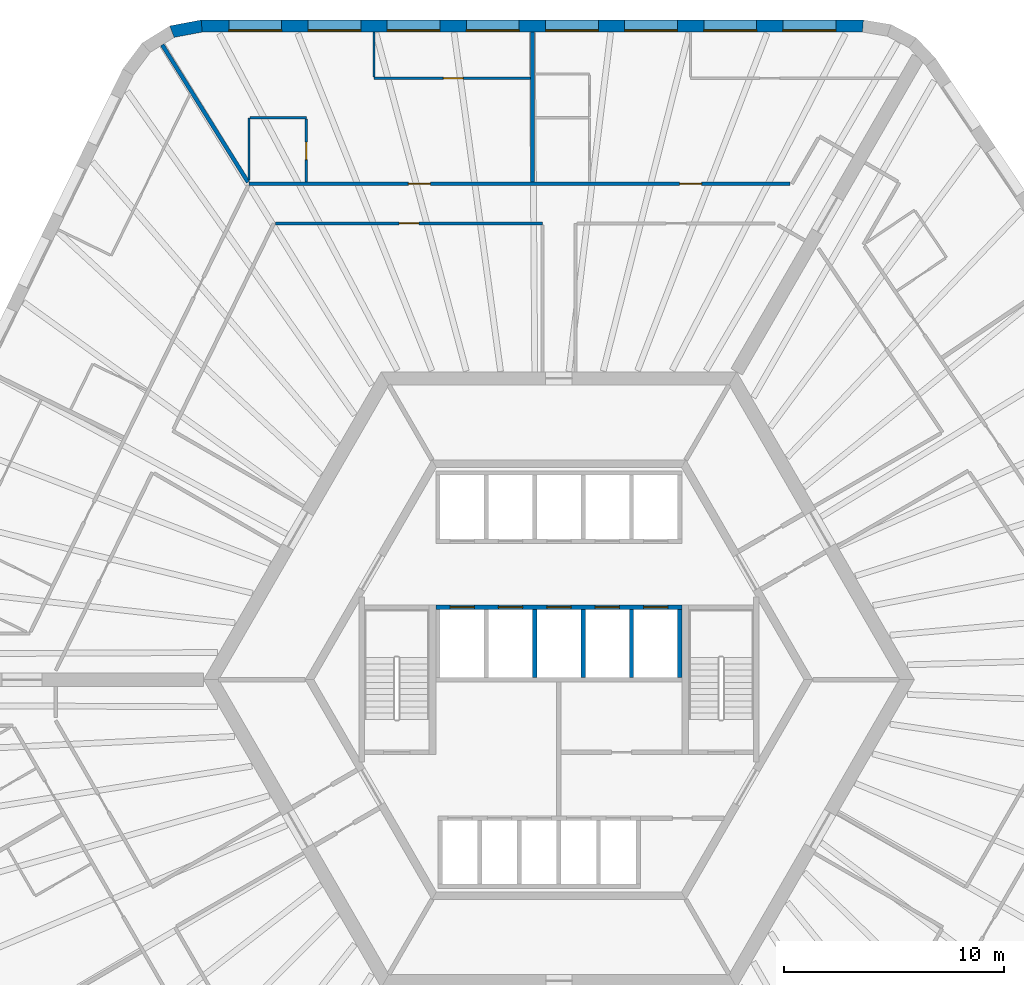
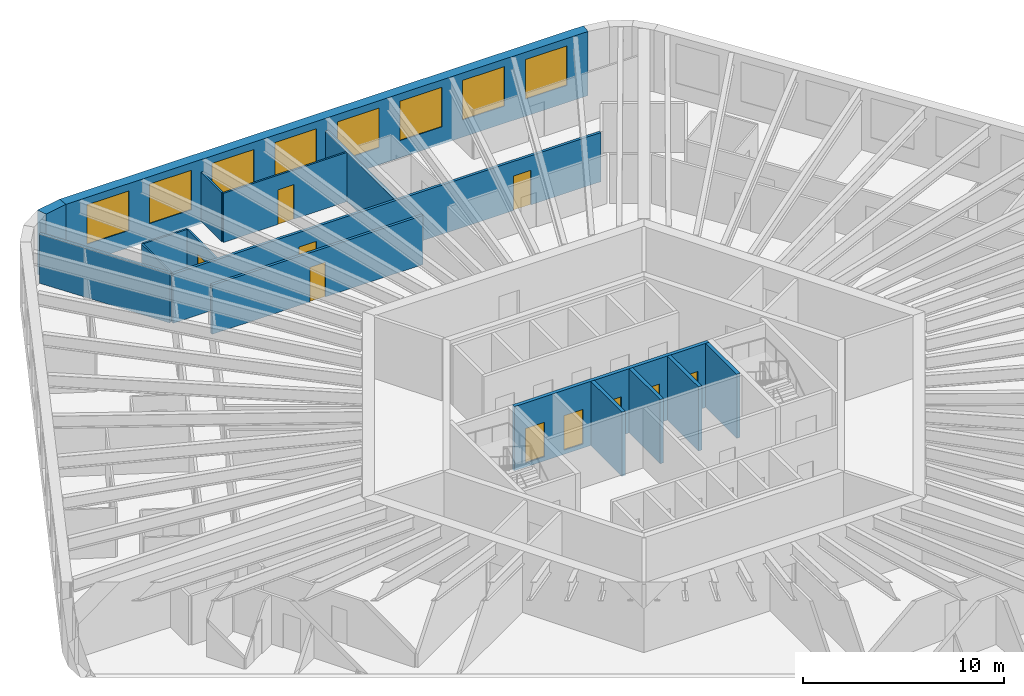
# One storey, part 8 of 12: 16 walls, 10 doors, 8 windows, 18 openings.
"""IFC4 building model written with IfcOpenShell, lengths in metres."""

from ifc_helpers import new_model, si_unit, direction, frame, frame_2d, origin, place, context, subcontext, project, spatial, polyline, rectangle, outline, extrude, material, layer, layer_set, type_object, element, fill, save


model = new_model("IFC4")

# Units and contexts
model_context = context("Model", 3, precision=1e-05, world=origin(), true_north=direction((0.0, 1.0)))
body_context = subcontext(model_context, "Body", "Model", "MODEL_VIEW")
ifc_project = project(units=[si_unit("LENGTHUNIT", "METRE"), si_unit("AREAUNIT", "SQUARE_METRE"), si_unit("VOLUMEUNIT", "CUBIC_METRE"), si_unit("PLANEANGLEUNIT", "RADIAN"), si_unit("MASSUNIT", "GRAM", prefix="KILO")], contexts=[model_context])

# Site, building, storey
site_placement = place(None, origin())
site = spatial("IfcSite", under=ifc_project, at=site_placement, CompositionType="ELEMENT")
building_placement = place(site_placement, origin())
building = spatial("IfcBuilding", under=site, at=building_placement, Name="Tarnside Tower", CompositionType="ELEMENT")
storey_placement = place(building_placement, frame((0.0, 0.0, 57.0)))
storey = spatial("IfcBuildingStorey", under=building, at=storey_placement, Name="L11", CompositionType="ELEMENT", Elevation=57.0)

# Walls
ifc_material_1 = material(Name="Gypsum board partition on steel studs", Category="steel")
ifc_layer_1 = layer(ifc_material_1, 0.10009765625)
ifc_layer_set_1 = layer_set([ifc_layer_1], Name="Bathroom wall 100")
wall_type_1 = type_object("IfcWallType", Name="Bathroom wall 100", PredefinedType="PARTITIONING", material=ifc_layer_set_1)
wall_1_placement = place(storey_placement, frame((-14.0908203125, 22.72119140625, 0.0), z_axis=(0.0, 0.0, 1.0), x_axis=(0.0, 1.0, 0.0)))
element("IfcWall", 1, at=wall_1_placement, inside=storey, type_object=wall_type_1, Name="Bathroom wall 02082", PredefinedType="PARTITIONING", context=body_context, shape_type="SweptSolid", body=[
    extrude(rectangle(XDim=2.828857421875, YDim=0.10009765625, at=frame_2d((1.41455078125, 0.0))), origin(), (0.0, 0.0, 1.0), 2.98779296875),
])
wall_2_placement = place(storey_placement, frame((-14.040771484375, 25.550048828125, 0.0), z_axis=(0.0, 0.0, 1.0), x_axis=(1.0, 0.0, 0.0)))
element("IfcWall", 2, at=wall_2_placement, inside=storey, type_object=wall_type_1, Name="Bathroom wall 02083", PredefinedType="PARTITIONING", context=body_context, shape_type="SweptSolid", body=[
    extrude(rectangle(XDim=2.550048828125, YDim=0.10009765625, at=frame_2d((1.27490234375, 0.0))), origin(), (0.0, 0.0, 1.0), 2.98779296875),
])

# Wall, opening, door
wall_3_placement = place(storey_placement, frame((-11.49072265625, 25.5, 0.0), z_axis=(0.0, 0.0, 1.0), x_axis=(0.0, -1.0, 0.0)))
wall_3 = element("IfcWall", 3, at=wall_3_placement, inside=storey, type_object=wall_type_1, Name="Bathroom wall 02084", PredefinedType="PARTITIONING", context=body_context, shape_type="SweptSolid", body=[
    extrude(rectangle(XDim=2.875, YDim=0.10009765625, at=frame_2d((1.4375, 0.0))), origin(), (0.0, 0.0, 1.0), 2.98779296875),
])
opening_1_placement = place(wall_3_placement, frame((1.050048828125, 0.0, 0.0)))
opening_1 = element("IfcOpeningElement", 4, at=opening_1_placement, cuts=wall_3, Name="Opening D-B1", PredefinedType="OPENING", context=body_context, shape_type="SweptSolid", body=[
    extrude(rectangle(XDim=0.800048828125, YDim=2.10009765625, at=frame_2d((0.39990234375, 1.050048828125))), frame((0.0, 0.06005859375, 0.0), z_axis=(0.0, -1.0, 0.0), x_axis=(1.0, 0.0, 0.0)), (0.0, 0.0, 1.0), 0.1201171875),
])
ifc_material_2 = material(Name="Timber door leaf", Category="wood")
door_type_1 = type_object("IfcDoorType", Name="Bathroom door 800", OperationType="NOTDEFINED", PredefinedType="DOOR", material=ifc_material_2)
door_1_placement = place(opening_1_placement, origin())
door_1 = element("IfcDoor", 5, at=door_1_placement, inside=storey, type_object=door_type_1, Name="Bathroom door 02006", OperationType="SINGLE_SWING_RIGHT", OverallHeight=2.10009765625, OverallWidth=0.800048828125, PredefinedType="DOOR", context=body_context, shape_type="SweptSolid", body=[
    extrude(rectangle(XDim=0.800048828125, YDim=2.10009765625, at=frame_2d((0.39990234375, 1.050048828125))), frame((0.0, 0.02490234375, 0.0), z_axis=(0.0, -1.0, 0.0), x_axis=(1.0, 0.0, 0.0)), (0.0, 0.0, 1.0), 0.050048828125),
])
fill(opening_1, door_1)

# Wall, openings, doors
ifc_layer_2 = layer(ifc_material_1, 0.14990234375)
ifc_layer_set_2 = layer_set([ifc_layer_2], Name="Corridor wall 150 EI 60")
wall_type_2 = type_object("IfcWallType", Name="Corridor wall 150 EI 60", PredefinedType="PARTITIONING", material=ifc_layer_set_2)
wall_4_placement = place(storey_placement, frame((10.5078125, 22.550048828125, 0.0), z_axis=(0.0, 0.0, 1.0), x_axis=(-1.0, 0.0, 0.0)))
wall_4 = element("IfcWall", 6, at=wall_4_placement, inside=storey, type_object=wall_type_2, Name="Corridor wall 02003", PredefinedType="PARTITIONING", context=body_context, shape_type="SweptSolid", body=[
    extrude(rectangle(XDim=24.5986328125, YDim=0.14990234375, at=frame_2d((12.29931640625, 0.0))), origin(), (0.0, 0.0, 1.0), 2.98779296875),
])
opening_2_placement = place(wall_4_placement, frame((4.01611328125, 0.0, 0.0)))
opening_2 = element("IfcOpeningElement", 7, at=opening_2_placement, cuts=wall_4, Name="Opening D-E1", PredefinedType="OPENING", context=body_context, shape_type="SweptSolid", body=[
    extrude(rectangle(XDim=1.0, YDim=2.10009765625, at=frame_2d((0.5, 1.050048828125))), frame((0.0, 0.0849609375, 0.0), z_axis=(0.0, -1.0, 0.0), x_axis=(1.0, 0.0, 0.0)), (0.0, 0.0, 1.0), 0.169921875),
])
opening_3_placement = place(wall_4_placement, frame((16.358642578125, 0.0, 0.0)))
opening_3 = element("IfcOpeningElement", 8, at=opening_3_placement, cuts=wall_4, Name="Opening D-E1", PredefinedType="OPENING", context=body_context, shape_type="SweptSolid", body=[
    extrude(rectangle(XDim=1.0, YDim=2.10009765625, at=frame_2d((0.5, 1.050048828125))), frame((0.0, 0.0849609375, 0.0), z_axis=(0.0, -1.0, 0.0), x_axis=(1.0, 0.0, 0.0)), (0.0, 0.0, 1.0), 0.169921875),
])
door_type_2 = type_object("IfcDoorType", Name="Unit entrance door 1000 FD30S", OperationType="NOTDEFINED", PredefinedType="DOOR", material=ifc_material_2)
door_2_placement = place(opening_2_placement, origin())
door_2 = element("IfcDoor", 9, at=door_2_placement, inside=storey, type_object=door_type_2, Name="Unit door 02001", OperationType="SINGLE_SWING_RIGHT", OverallHeight=2.10009765625, OverallWidth=1.0, PredefinedType="DOOR", context=body_context, shape_type="SweptSolid", body=[
    extrude(rectangle(XDim=1.0, YDim=2.10009765625, at=frame_2d((0.5, 1.050048828125))), frame((0.0, 0.02490234375, 0.0), z_axis=(0.0, -1.0, 0.0), x_axis=(1.0, 0.0, 0.0)), (0.0, 0.0, 1.0), 0.050048828125),
])
fill(opening_2, door_2)
door_3_placement = place(opening_3_placement, origin())
door_3 = element("IfcDoor", 10, at=door_3_placement, inside=storey, type_object=door_type_2, Name="Unit door 02005", OperationType="SINGLE_SWING_LEFT", OverallHeight=2.10009765625, OverallWidth=1.0, PredefinedType="DOOR", context=body_context, shape_type="SweptSolid", body=[
    extrude(rectangle(XDim=1.0, YDim=2.10009765625, at=frame_2d((0.5, 1.050048828125))), frame((0.0, 0.02490234375, 0.0), z_axis=(0.0, -1.0, 0.0), x_axis=(1.0, 0.0, 0.0)), (0.0, 0.0, 1.0), 0.050048828125),
])
fill(opening_3, door_3)

# Wall, opening, door
wall_5_placement = place(storey_placement, frame((-12.882568359375, 20.75, 0.0), z_axis=(0.0, 0.0, 1.0), x_axis=(1.0, 0.0, 0.0)))
wall_5 = element("IfcWall", 11, at=wall_5_placement, inside=storey, type_object=wall_type_2, Name="Corridor wall 02015", PredefinedType="PARTITIONING", context=body_context, shape_type="SweptSolid", body=[
    extrude(rectangle(XDim=12.132568359375, YDim=0.14990234375, at=frame_2d((6.06640625, 0.0))), origin(), (0.0, 0.0, 1.0), 2.98779296875),
])
opening_4_placement = place(wall_5_placement, frame((5.6162109375, 0.0, 0.0)))
opening_4 = element("IfcOpeningElement", 12, at=opening_4_placement, cuts=wall_5, Name="Opening D-S1", PredefinedType="OPENING", context=body_context, shape_type="SweptSolid", body=[
    extrude(rectangle(XDim=0.89990234375, YDim=2.10009765625, at=frame_2d((0.449951171875, 1.050048828125))), frame((0.0, 0.0849609375, 0.0), z_axis=(0.0, -1.0, 0.0), x_axis=(1.0, 0.0, 0.0)), (0.0, 0.0, 1.0), 0.169921875),
])
door_type_3 = type_object("IfcDoorType", Name="Service room door 900 FD30S", OperationType="NOTDEFINED", PredefinedType="DOOR", material=ifc_material_2)
door_4_placement = place(opening_4_placement, origin())
door_4 = element("IfcDoor", 13, at=door_4_placement, inside=storey, type_object=door_type_3, Name="Service door 02041", OperationType="SINGLE_SWING_LEFT", OverallHeight=2.10009765625, OverallWidth=0.89990234375, PredefinedType="DOOR", context=body_context, shape_type="SweptSolid", body=[
    extrude(rectangle(XDim=0.89990234375, YDim=2.10009765625, at=frame_2d((0.449951171875, 1.050048828125))), frame((0.0, 0.02490234375, 0.0), z_axis=(0.0, -1.0, 0.0), x_axis=(1.0, 0.0, 0.0)), (0.0, 0.0, 1.0), 0.050048828125),
])
fill(opening_4, door_4)

# Walls
ifc_layer_3 = layer(ifc_material_1, 0.179931640625)
ifc_layer_set_3 = layer_set([ifc_layer_3], Name="Demising wall 180 EI 60")
wall_type_3 = type_object("IfcWallType", Name="Demising wall 180 EI 60", PredefinedType="PARTITIONING", material=ifc_layer_set_3)
wall_6_placement = place(storey_placement, frame((-1.2109375, 29.449951171875, 0.0), z_axis=(0.0, 0.0, 1.0), x_axis=(0.0, -1.0, 0.0)))
element("IfcWall", 14, at=wall_6_placement, inside=storey, type_object=wall_type_3, Name="Demising wall 02077", PredefinedType="PARTITIONING", context=body_context, shape_type="SweptSolid", body=[
    extrude(rectangle(XDim=6.824951171875, YDim=0.179931640625, at=frame_2d((3.41259765625, 0.0))), origin(), (0.0, 0.0, 1.0), 2.98779296875),
])
wall_7_placement = place(storey_placement, frame((-18.040771484375, 28.87109375, 0.0), z_axis=(0.0, 0.0, 1.0), x_axis=(0.529927429128, -0.848042994109, 0.0)))
element("IfcWall", 15, at=wall_7_placement, inside=storey, type_object=wall_type_3, Name="Demising wall 02087", PredefinedType="PARTITIONING", context=body_context, shape_type="SweptSolid", body=[
    extrude(rectangle(XDim=7.365234375, YDim=0.179931640625, at=frame_2d((3.6826171875, 0.0))), origin(), (0.0, 0.0, 1.0), 2.98779296875),
])

# Wall, openings, doors
ifc_material_3 = material(Name="Concrete C40/50", Category="concrete")
ifc_layer_4 = layer(ifc_material_3, 0.199951171875)
ifc_layer_set_4 = layer_set([ifc_layer_4], Name="Lift shaft wall 200 C40/50")
wall_type_4 = type_object("IfcWallType", Name="Lift shaft wall 200 C40/50", PredefinedType="SHEAR", material=ifc_layer_set_4)
wall_8_placement = place(storey_placement, frame((-5.60009765625, 3.300048828125, -0.25), z_axis=(0.0, 0.0, 1.0), x_axis=(1.0, 0.0, 0.0)))
wall_8 = element("IfcWall", 16, at=wall_8_placement, inside=storey, type_object=wall_type_4, Name="L11 lift shaft front wall R2", PredefinedType="SHEAR", context=body_context, shape_type="SweptSolid", body=[
    extrude(rectangle(XDim=11.2001953125, YDim=0.199951171875, at=frame_2d((5.60009765625, 0.0))), origin(), (0.0, 0.0, 1.0), 3.89990234375),
])
opening_5_placement = place(wall_8_placement, frame((0.64990234375, 0.0, 0.25)))
opening_5 = element("IfcOpeningElement", 17, at=opening_5_placement, cuts=wall_8, Name="Opening LD", PredefinedType="OPENING", context=body_context, shape_type="SweptSolid", body=[
    extrude(rectangle(XDim=1.10009765625, YDim=2.10009765625, at=frame_2d((0.550048828125, 1.050048828125))), frame((0.0, 0.10986328125, 0.0), z_axis=(0.0, -1.0, 0.0), x_axis=(1.0, 0.0, 0.0)), (0.0, 0.0, 1.0), 0.219970703125),
])
opening_6_placement = place(wall_8_placement, frame((2.85009765625, 0.0, 0.25)))
opening_6 = element("IfcOpeningElement", 18, at=opening_6_placement, cuts=wall_8, Name="Opening LD", PredefinedType="OPENING", context=body_context, shape_type="SweptSolid", body=[
    extrude(rectangle(XDim=1.10009765625, YDim=2.10009765625, at=frame_2d((0.550048828125, 1.050048828125))), frame((0.0, 0.10986328125, 0.0), z_axis=(0.0, -1.0, 0.0), x_axis=(1.0, 0.0, 0.0)), (0.0, 0.0, 1.0), 0.219970703125),
])
opening_7_placement = place(wall_8_placement, frame((5.050048828125, 0.0, 0.25)))
opening_7 = element("IfcOpeningElement", 19, at=opening_7_placement, cuts=wall_8, Name="Opening LD", PredefinedType="OPENING", context=body_context, shape_type="SweptSolid", body=[
    extrude(rectangle(XDim=1.10009765625, YDim=2.10009765625, at=frame_2d((0.550048828125, 1.050048828125))), frame((0.0, 0.10986328125, 0.0), z_axis=(0.0, -1.0, 0.0), x_axis=(1.0, 0.0, 0.0)), (0.0, 0.0, 1.0), 0.219970703125),
])
opening_8_placement = place(wall_8_placement, frame((7.25, 0.0, 0.25)))
opening_8 = element("IfcOpeningElement", 20, at=opening_8_placement, cuts=wall_8, Name="Opening LD", PredefinedType="OPENING", context=body_context, shape_type="SweptSolid", body=[
    extrude(rectangle(XDim=1.10009765625, YDim=2.10009765625, at=frame_2d((0.550048828125, 1.050048828125))), frame((0.0, 0.10986328125, 0.0), z_axis=(0.0, -1.0, 0.0), x_axis=(1.0, 0.0, 0.0)), (0.0, 0.0, 1.0), 0.219970703125),
])
opening_9_placement = place(wall_8_placement, frame((9.449951171875, 0.0, 0.25)))
opening_9 = element("IfcOpeningElement", 21, at=opening_9_placement, cuts=wall_8, Name="Opening LD", PredefinedType="OPENING", context=body_context, shape_type="SweptSolid", body=[
    extrude(rectangle(XDim=1.10009765625, YDim=2.10009765625, at=frame_2d((0.550048828125, 1.050048828125))), frame((0.0, 0.10986328125, 0.0), z_axis=(0.0, -1.0, 0.0), x_axis=(1.0, 0.0, 0.0)), (0.0, 0.0, 1.0), 0.219970703125),
])
ifc_material_4 = material(Name="Stainless steel", Category="steel")
door_type_4 = type_object("IfcDoorType", Name="Lift landing door 1100x2100", OperationType="NOTDEFINED", PredefinedType="DOOR", material=ifc_material_4)
door_5_placement = place(opening_5_placement, origin())
door_5 = element("IfcDoor", 22, at=door_5_placement, inside=storey, type_object=door_type_4, Name="Low-rise lift 4 landing door L11", OperationType="SLIDING_TO_LEFT", OverallHeight=2.10009765625, OverallWidth=1.10009765625, PredefinedType="DOOR", context=body_context, shape_type="SweptSolid", body=[
    extrude(rectangle(XDim=1.10009765625, YDim=2.10009765625, at=frame_2d((0.550048828125, 1.050048828125))), frame((0.0, 0.02490234375, 0.0), z_axis=(0.0, -1.0, 0.0), x_axis=(1.0, 0.0, 0.0)), (0.0, 0.0, 1.0), 0.050048828125),
])
fill(opening_5, door_5)
door_6_placement = place(opening_6_placement, origin())
door_6 = element("IfcDoor", 23, at=door_6_placement, inside=storey, type_object=door_type_4, Name="Low-rise lift 5 landing door L11", OperationType="SLIDING_TO_LEFT", OverallHeight=2.10009765625, OverallWidth=1.10009765625, PredefinedType="DOOR", context=body_context, shape_type="SweptSolid", body=[
    extrude(rectangle(XDim=1.10009765625, YDim=2.10009765625, at=frame_2d((0.550048828125, 1.050048828125))), frame((0.0, 0.02490234375, 0.0), z_axis=(0.0, -1.0, 0.0), x_axis=(1.0, 0.0, 0.0)), (0.0, 0.0, 1.0), 0.050048828125),
])
fill(opening_6, door_6)
door_7_placement = place(opening_7_placement, origin())
door_7 = element("IfcDoor", 24, at=door_7_placement, inside=storey, type_object=door_type_4, Name="Low-rise lift 6 landing door L11", OperationType="SLIDING_TO_LEFT", OverallHeight=2.10009765625, OverallWidth=1.10009765625, PredefinedType="DOOR", context=body_context, shape_type="SweptSolid", body=[
    extrude(rectangle(XDim=1.10009765625, YDim=2.10009765625, at=frame_2d((0.550048828125, 1.050048828125))), frame((0.0, 0.02490234375, 0.0), z_axis=(0.0, -1.0, 0.0), x_axis=(1.0, 0.0, 0.0)), (0.0, 0.0, 1.0), 0.050048828125),
])
fill(opening_7, door_7)
door_8_placement = place(opening_8_placement, origin())
door_8 = element("IfcDoor", 25, at=door_8_placement, inside=storey, type_object=door_type_4, Name="High sky-lobby shuttle 1 landing door L11", OperationType="SLIDING_TO_LEFT", OverallHeight=2.10009765625, OverallWidth=1.10009765625, PredefinedType="DOOR", context=body_context, shape_type="SweptSolid", body=[
    extrude(rectangle(XDim=1.10009765625, YDim=2.10009765625, at=frame_2d((0.550048828125, 1.050048828125))), frame((0.0, 0.02490234375, 0.0), z_axis=(0.0, -1.0, 0.0), x_axis=(1.0, 0.0, 0.0)), (0.0, 0.0, 1.0), 0.050048828125),
])
fill(opening_8, door_8)
door_9_placement = place(opening_9_placement, origin())
door_9 = element("IfcDoor", 26, at=door_9_placement, inside=storey, type_object=door_type_4, Name="Express sky-lobby shuttle 2 landing door L11", OperationType="SLIDING_TO_LEFT", OverallHeight=2.10009765625, OverallWidth=1.10009765625, PredefinedType="DOOR", context=body_context, shape_type="SweptSolid", body=[
    extrude(rectangle(XDim=1.10009765625, YDim=2.10009765625, at=frame_2d((0.550048828125, 1.050048828125))), frame((0.0, 0.02490234375, 0.0), z_axis=(0.0, -1.0, 0.0), x_axis=(1.0, 0.0, 0.0)), (0.0, 0.0, 1.0), 0.050048828125),
])
fill(opening_9, door_9)

# Walls
for number, where, z_axis, x_axis, name in (
    (27, (-1.10009765625, 0.10009765625, -0.25), (0.0, 0.0, 1.0), (0.0, 1.0, 0.0), "L11 lift shaft partition R23"),
    (28, (1.10009765625, 0.10009765625, -0.25), (0.0, 0.0, 1.0), (0.0, 1.0, 0.0), "L11 lift shaft partition R24"),
    (29, (3.300048828125, 0.10009765625, -0.25), (0.0, 0.0, 1.0), (0.0, 1.0, 0.0), "L11 lift shaft partition R25"),
    (30, (5.5, 0.10009765625, -0.25), (0.0, 0.0, 1.0), (0.0, 1.0, 0.0), "L11 lift shaft partition R26"),
):
    element("IfcWall", number, at=place(storey_placement, frame(where, z_axis=z_axis, x_axis=x_axis)), inside=storey, type_object=wall_type_4, Name=name, PredefinedType="SHEAR", context=body_context, shape_type="SweptSolid", body=[
        extrude(rectangle(XDim=3.099853515625, YDim=0.199951171875, at=frame_2d((1.5498046875, 0.0))), origin(), (0.0, 0.0, 1.0), 3.89990234375),
    ])

# Wall, opening, door
ifc_layer_5 = layer(ifc_material_1, 0.10009765625)
ifc_layer_set_5 = layer_set([ifc_layer_5], Name="Partition 100")
wall_type_5 = type_object("IfcWallType", Name="Partition 100", PredefinedType="PARTITIONING", material=ifc_layer_set_5)
wall_9_placement = place(storey_placement, frame((-1.301025390625, 27.35009765625, 0.0), z_axis=(0.0, 0.0, 1.0), x_axis=(-1.0, 0.0, 0.0)))
wall_9 = element("IfcWall", 31, at=wall_9_placement, inside=storey, type_object=wall_type_5, Name="Partition wall 02085", PredefinedType="PARTITIONING", context=body_context, shape_type="SweptSolid", body=[
    extrude(rectangle(XDim=7.110107421875, YDim=0.10009765625, at=frame_2d((3.55517578125, 0.0))), origin(), (0.0, 0.0, 1.0), 2.98779296875),
])
opening_10_placement = place(wall_9_placement, frame((3.06005859375, 0.0, 0.0)))
opening_10 = element("IfcOpeningElement", 32, at=opening_10_placement, cuts=wall_9, Name="Opening D-I1", PredefinedType="OPENING", context=body_context, shape_type="SweptSolid", body=[
    extrude(rectangle(XDim=0.89990234375, YDim=2.10009765625, at=frame_2d((0.449951171875, 1.050048828125))), frame((0.0, 0.06005859375, 0.0), z_axis=(0.0, -1.0, 0.0), x_axis=(1.0, 0.0, 0.0)), (0.0, 0.0, 1.0), 0.1201171875),
])
door_type_5 = type_object("IfcDoorType", Name="Internal door 900", OperationType="NOTDEFINED", PredefinedType="DOOR", material=ifc_material_2)
door_10_placement = place(opening_10_placement, origin())
door_10 = element("IfcDoor", 33, at=door_10_placement, inside=storey, type_object=door_type_5, Name="Internal door 02007", OperationType="SINGLE_SWING_RIGHT", OverallHeight=2.10009765625, OverallWidth=0.89990234375, PredefinedType="DOOR", context=body_context, shape_type="SweptSolid", body=[
    extrude(rectangle(XDim=0.89990234375, YDim=2.10009765625, at=frame_2d((0.449951171875, 1.050048828125))), frame((0.0, 0.02490234375, 0.0), z_axis=(0.0, -1.0, 0.0), x_axis=(1.0, 0.0, 0.0)), (0.0, 0.0, 1.0), 0.050048828125),
])
fill(opening_10, door_10)

# Wall
wall_10_placement = place(storey_placement, frame((-8.4111328125, 27.39990234375, 0.0), z_axis=(0.0, 0.0, 1.0), x_axis=(0.0, 1.0, 0.0)))
element("IfcWall", 34, at=wall_10_placement, inside=storey, type_object=wall_type_5, Name="Partition wall 02086", PredefinedType="PARTITIONING", context=body_context, shape_type="SweptSolid", body=[
    extrude(rectangle(XDim=2.050048828125, YDim=0.10009765625, at=frame_2d((1.02490234375, 0.0))), origin(), (0.0, 0.0, 1.0), 2.98779296875),
])

# Wall, openings, windows
ifc_material_5 = material(Name="Facing brick", Category="masonry")
ifc_layer_6 = layer(ifc_material_5, 0.10205078125)
ifc_material_6 = material(Name="Concrete C60/75 precast", Category="concrete")
ifc_layer_7 = layer(ifc_material_6, 0.347900390625)
ifc_material_7 = material(Name="Mineral wool insulation")
ifc_layer_8 = layer(ifc_material_7, 0.10009765625)
ifc_layer_set_6 = layer_set([ifc_layer_6, ifc_layer_7, ifc_layer_8], Name="Tube wall 550 brick faced")
wall_type_6 = type_object("IfcWallType", Name="Tube wall 550 brick faced", PredefinedType="SOLIDWALL", material=ifc_layer_set_6)
wall_11_placement = place(storey_placement, frame((13.824462890625, 29.72509765625, -0.14990234375), z_axis=(0.0, 0.0, 1.0), x_axis=(-1.0, 0.0, 0.0)))
wall_11 = element("IfcWall", 35, at=wall_11_placement, inside=storey, type_object=wall_type_6, Name="Tube wall L11 F1 flush 00", PredefinedType="SOLIDWALL", context=body_context, shape_type="SweptSolid", body=[
    extrude(outline(polyline([(-0.0224609375, -0.27490234375), (30.0966796875, -0.27490234375), (30.04541015625, 0.27490234375), (0.0224609375, 0.27490234375), (-0.0224609375, -0.27490234375)])), origin(), (0.0, 0.0, 1.0), 3.89990234375),
])
opening_11_placement = place(wall_11_placement, frame((1.235595703125, 0.0, 1.050048828125)))
opening_11 = element("IfcOpeningElement", 36, at=opening_11_placement, cuts=wall_11, Name="Opening WH", PredefinedType="OPENING", context=body_context, shape_type="SweptSolid", body=[
    extrude(rectangle(XDim=2.39990234375, YDim=2.39990234375, at=frame_2d((1.199951171875, 1.199951171875))), frame((0.0, 0.28515625, 0.0), z_axis=(0.0, -1.0, 0.0), x_axis=(1.0, 0.0, 0.0)), (0.0, 0.0, 1.0), 0.570068359375),
])
opening_12_placement = place(wall_11_placement, frame((4.83544921875, 0.0, 1.050048828125)))
opening_12 = element("IfcOpeningElement", 37, at=opening_12_placement, cuts=wall_11, Name="Opening WH", PredefinedType="OPENING", context=body_context, shape_type="SweptSolid", body=[
    extrude(rectangle(XDim=2.39990234375, YDim=2.39990234375, at=frame_2d((1.199951171875, 1.199951171875))), frame((0.0, 0.28515625, 0.0), z_axis=(0.0, -1.0, 0.0), x_axis=(1.0, 0.0, 0.0)), (0.0, 0.0, 1.0), 0.570068359375),
])
opening_13_placement = place(wall_11_placement, frame((8.435546875, 0.0, 1.050048828125)))
opening_13 = element("IfcOpeningElement", 38, at=opening_13_placement, cuts=wall_11, Name="Opening WH", PredefinedType="OPENING", context=body_context, shape_type="SweptSolid", body=[
    extrude(rectangle(XDim=2.39990234375, YDim=2.39990234375, at=frame_2d((1.199951171875, 1.199951171875))), frame((0.0, 0.28515625, 0.0), z_axis=(0.0, -1.0, 0.0), x_axis=(1.0, 0.0, 0.0)), (0.0, 0.0, 1.0), 0.570068359375),
])
opening_14_placement = place(wall_11_placement, frame((12.035400390625, 0.0, 1.050048828125)))
opening_14 = element("IfcOpeningElement", 39, at=opening_14_placement, cuts=wall_11, Name="Opening WH", PredefinedType="OPENING", context=body_context, shape_type="SweptSolid", body=[
    extrude(rectangle(XDim=2.39990234375, YDim=2.39990234375, at=frame_2d((1.199951171875, 1.199951171875))), frame((0.0, 0.28515625, 0.0), z_axis=(0.0, -1.0, 0.0), x_axis=(1.0, 0.0, 0.0)), (0.0, 0.0, 1.0), 0.570068359375),
])
opening_15_placement = place(wall_11_placement, frame((15.635498046875, 0.0, 1.050048828125)))
opening_15 = element("IfcOpeningElement", 40, at=opening_15_placement, cuts=wall_11, Name="Opening WH", PredefinedType="OPENING", context=body_context, shape_type="SweptSolid", body=[
    extrude(rectangle(XDim=2.39990234375, YDim=2.39990234375, at=frame_2d((1.199951171875, 1.199951171875))), frame((0.0, 0.28515625, 0.0), z_axis=(0.0, -1.0, 0.0), x_axis=(1.0, 0.0, 0.0)), (0.0, 0.0, 1.0), 0.570068359375),
])
opening_16_placement = place(wall_11_placement, frame((19.235595703125, 0.0, 1.050048828125)))
opening_16 = element("IfcOpeningElement", 41, at=opening_16_placement, cuts=wall_11, Name="Opening WH", PredefinedType="OPENING", context=body_context, shape_type="SweptSolid", body=[
    extrude(rectangle(XDim=2.39990234375, YDim=2.39990234375, at=frame_2d((1.199951171875, 1.199951171875))), frame((0.0, 0.28515625, 0.0), z_axis=(0.0, -1.0, 0.0), x_axis=(1.0, 0.0, 0.0)), (0.0, 0.0, 1.0), 0.570068359375),
])
opening_17_placement = place(wall_11_placement, frame((22.83544921875, 0.0, 1.050048828125)))
opening_17 = element("IfcOpeningElement", 42, at=opening_17_placement, cuts=wall_11, Name="Opening WH", PredefinedType="OPENING", context=body_context, shape_type="SweptSolid", body=[
    extrude(rectangle(XDim=2.39990234375, YDim=2.39990234375, at=frame_2d((1.199951171875, 1.199951171875))), frame((0.0, 0.28515625, 0.0), z_axis=(0.0, -1.0, 0.0), x_axis=(1.0, 0.0, 0.0)), (0.0, 0.0, 1.0), 0.570068359375),
])
opening_18_placement = place(wall_11_placement, frame((26.435546875, 0.0, 1.050048828125)))
opening_18 = element("IfcOpeningElement", 43, at=opening_18_placement, cuts=wall_11, Name="Opening WH", PredefinedType="OPENING", context=body_context, shape_type="SweptSolid", body=[
    extrude(rectangle(XDim=2.39990234375, YDim=2.39990234375, at=frame_2d((1.199951171875, 1.199951171875))), frame((0.0, 0.28515625, 0.0), z_axis=(0.0, -1.0, 0.0), x_axis=(1.0, 0.0, 0.0)), (0.0, 0.0, 1.0), 0.570068359375),
])
ifc_material_8 = material(Name="Aluminium-framed double glazing", Category="aluminium")
window_type = type_object("IfcWindowType", Name="Hotel window 2400 x 2400", PartitioningType="DOUBLE_PANEL_VERTICAL", PredefinedType="WINDOW", material=ifc_material_8)
window_1_placement = place(opening_11_placement, frame((0.0, 0.205078125, 0.0)))
window_1 = element("IfcWindow", 44, at=window_1_placement, inside=storey, type_object=window_type, Name="E.WN.L11.F1.00", OverallHeight=2.39990234375, OverallWidth=2.39990234375, PartitioningType="DOUBLE_PANEL_VERTICAL", PredefinedType="WINDOW", context=body_context, shape_type="SweptSolid", body=[
    extrude(rectangle(XDim=2.39990234375, YDim=2.39990234375, at=frame_2d((1.199951171875, 1.199951171875))), frame((0.0, 0.030029296875, 0.0), z_axis=(0.0, -1.0, 0.0), x_axis=(1.0, 0.0, 0.0)), (0.0, 0.0, 1.0), 0.06005859375),
])
fill(opening_11, window_1)
window_2_placement = place(opening_12_placement, frame((0.0, 0.205078125, 0.0)))
window_2 = element("IfcWindow", 45, at=window_2_placement, inside=storey, type_object=window_type, Name="E.WN.L11.F1.01", OverallHeight=2.39990234375, OverallWidth=2.39990234375, PartitioningType="DOUBLE_PANEL_VERTICAL", PredefinedType="WINDOW", context=body_context, shape_type="SweptSolid", body=[
    extrude(rectangle(XDim=2.39990234375, YDim=2.39990234375, at=frame_2d((1.199951171875, 1.199951171875))), frame((0.0, 0.030029296875, 0.0), z_axis=(0.0, -1.0, 0.0), x_axis=(1.0, 0.0, 0.0)), (0.0, 0.0, 1.0), 0.06005859375),
])
fill(opening_12, window_2)
window_3_placement = place(opening_13_placement, frame((0.0, 0.205078125, 0.0)))
window_3 = element("IfcWindow", 46, at=window_3_placement, inside=storey, type_object=window_type, Name="E.WN.L11.F1.02", OverallHeight=2.39990234375, OverallWidth=2.39990234375, PartitioningType="DOUBLE_PANEL_VERTICAL", PredefinedType="WINDOW", context=body_context, shape_type="SweptSolid", body=[
    extrude(rectangle(XDim=2.39990234375, YDim=2.39990234375, at=frame_2d((1.199951171875, 1.199951171875))), frame((0.0, 0.030029296875, 0.0), z_axis=(0.0, -1.0, 0.0), x_axis=(1.0, 0.0, 0.0)), (0.0, 0.0, 1.0), 0.06005859375),
])
fill(opening_13, window_3)
window_4_placement = place(opening_14_placement, frame((0.0, 0.205078125, 0.0)))
window_4 = element("IfcWindow", 47, at=window_4_placement, inside=storey, type_object=window_type, Name="E.WN.L11.F1.03", OverallHeight=2.39990234375, OverallWidth=2.39990234375, PartitioningType="DOUBLE_PANEL_VERTICAL", PredefinedType="WINDOW", context=body_context, shape_type="SweptSolid", body=[
    extrude(rectangle(XDim=2.39990234375, YDim=2.39990234375, at=frame_2d((1.199951171875, 1.199951171875))), frame((0.0, 0.030029296875, 0.0), z_axis=(0.0, -1.0, 0.0), x_axis=(1.0, 0.0, 0.0)), (0.0, 0.0, 1.0), 0.06005859375),
])
fill(opening_14, window_4)
window_5_placement = place(opening_15_placement, frame((0.0, 0.205078125, 0.0)))
window_5 = element("IfcWindow", 48, at=window_5_placement, inside=storey, type_object=window_type, Name="E.WN.L11.F1.04", OverallHeight=2.39990234375, OverallWidth=2.39990234375, PartitioningType="DOUBLE_PANEL_VERTICAL", PredefinedType="WINDOW", context=body_context, shape_type="SweptSolid", body=[
    extrude(rectangle(XDim=2.39990234375, YDim=2.39990234375, at=frame_2d((1.199951171875, 1.199951171875))), frame((0.0, 0.030029296875, 0.0), z_axis=(0.0, -1.0, 0.0), x_axis=(1.0, 0.0, 0.0)), (0.0, 0.0, 1.0), 0.06005859375),
])
fill(opening_15, window_5)
window_6_placement = place(opening_16_placement, frame((0.0, 0.205078125, 0.0)))
window_6 = element("IfcWindow", 49, at=window_6_placement, inside=storey, type_object=window_type, Name="E.WN.L11.F1.05", OverallHeight=2.39990234375, OverallWidth=2.39990234375, PartitioningType="DOUBLE_PANEL_VERTICAL", PredefinedType="WINDOW", context=body_context, shape_type="SweptSolid", body=[
    extrude(rectangle(XDim=2.39990234375, YDim=2.39990234375, at=frame_2d((1.199951171875, 1.199951171875))), frame((0.0, 0.030029296875, 0.0), z_axis=(0.0, -1.0, 0.0), x_axis=(1.0, 0.0, 0.0)), (0.0, 0.0, 1.0), 0.06005859375),
])
fill(opening_16, window_6)
window_7_placement = place(opening_17_placement, frame((0.0, 0.205078125, 0.0)))
window_7 = element("IfcWindow", 50, at=window_7_placement, inside=storey, type_object=window_type, Name="E.WN.L11.F1.06", OverallHeight=2.39990234375, OverallWidth=2.39990234375, PartitioningType="DOUBLE_PANEL_VERTICAL", PredefinedType="WINDOW", context=body_context, shape_type="SweptSolid", body=[
    extrude(rectangle(XDim=2.39990234375, YDim=2.39990234375, at=frame_2d((1.199951171875, 1.199951171875))), frame((0.0, 0.030029296875, 0.0), z_axis=(0.0, -1.0, 0.0), x_axis=(1.0, 0.0, 0.0)), (0.0, 0.0, 1.0), 0.06005859375),
])
fill(opening_17, window_7)
window_8_placement = place(opening_18_placement, frame((0.0, 0.205078125, 0.0)))
window_8 = element("IfcWindow", 51, at=window_8_placement, inside=storey, type_object=window_type, Name="E.WN.L11.F1.07", OverallHeight=2.39990234375, OverallWidth=2.39990234375, PartitioningType="DOUBLE_PANEL_VERTICAL", PredefinedType="WINDOW", context=body_context, shape_type="SweptSolid", body=[
    extrude(rectangle(XDim=2.39990234375, YDim=2.39990234375, at=frame_2d((1.199951171875, 1.199951171875))), frame((0.0, 0.030029296875, 0.0), z_axis=(0.0, -1.0, 0.0), x_axis=(1.0, 0.0, 0.0)), (0.0, 0.0, 1.0), 0.06005859375),
])
fill(opening_18, window_8)

# Wall
wall_12_placement = place(storey_placement, frame((-16.24658203125, 29.72509765625, -0.14990234375), z_axis=(0.0, 0.0, 1.0), x_axis=(-0.982705443133, -0.185175624845, 0.0)))
element("IfcWall", 52, at=wall_12_placement, inside=storey, type_object=wall_type_6, Name="Tube wall L11 F1 chord 01", PredefinedType="SOLIDWALL", context=body_context, shape_type="SweptSolid", body=[
    extrude(outline(polyline([(-0.025634765625, -0.27490234375), (1.430908203125, -0.27490234375), (1.327392578125, 0.27490234375), (0.025634765625, 0.27490234375), (-0.025634765625, -0.27490234375)])), origin(), (0.0, 0.0, 1.0), 3.89990234375),
])

save(model, "model.ifc")
